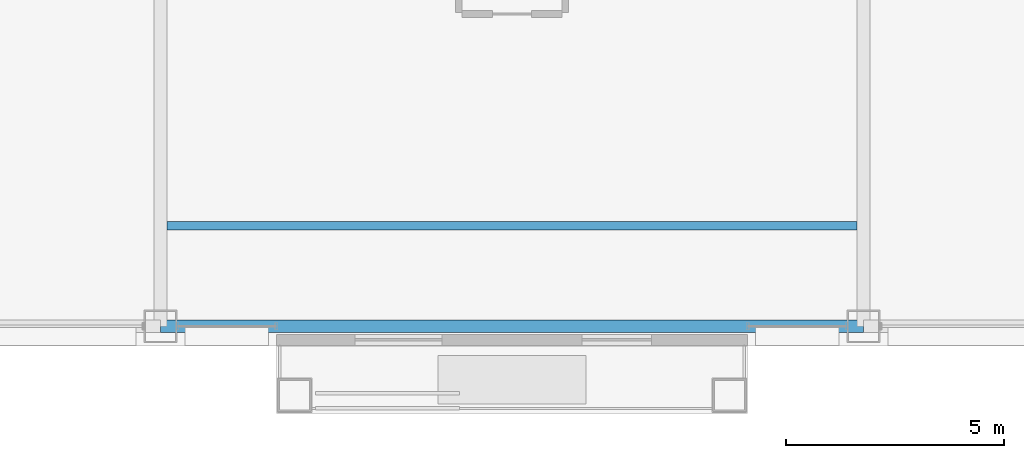
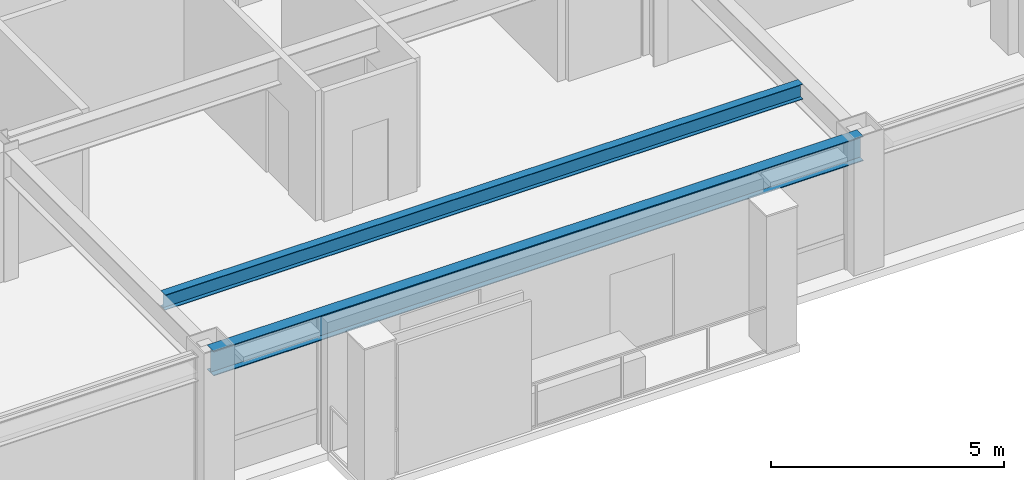
# One storey, part 6 of 28: 2 beams.
"""IFC4 building model written with IfcOpenShell, lengths in metres."""

from ifc_helpers import new_model, si_unit, direction, frame, origin, origin_2d, place, context, subcontext, project, spatial, i_section, extrude, material, material_profile, profile_set, type_object, element, save


model = new_model("IFC4")

# Units and contexts
model_context = context("Model", 3, precision=1e-05, world=origin(), true_north=direction((0.0, 1.0)))
body_context = subcontext(model_context, "Body", "Model", "MODEL_VIEW")
ifc_project = project(units=[si_unit("LENGTHUNIT", "METRE"), si_unit("AREAUNIT", "SQUARE_METRE"), si_unit("VOLUMEUNIT", "CUBIC_METRE"), si_unit("PLANEANGLEUNIT", "RADIAN"), si_unit("MASSUNIT", "GRAM", prefix="KILO")], contexts=[model_context])

# Site, building, storey
site_placement = place(None, origin())
site = spatial("IfcSite", under=ifc_project, at=site_placement, CompositionType="ELEMENT")
building_placement = place(site_placement, origin())
building = spatial("IfcBuilding", under=site, at=building_placement, Name="Brelmoor Portico Tower", CompositionType="ELEMENT")
storey_placement = place(building_placement, frame((0.0, 0.0, 165.89990234375)))
storey = spatial("IfcBuildingStorey", under=building, at=storey_placement, Name="L43", CompositionType="ELEMENT", Elevation=165.89990234375)

# Beams
ifc_material = material(Name="Steel Q355B", Category="steel")
ifc_material_profile_1 = material_profile(ifc_material, i_section(OverallWidth=0.199951171875, OverallDepth=0.39990234375, WebThickness=0.008056640625, FlangeThickness=0.012939453125, at=origin_2d()), Name="HN 400x200x8x13")
ifc_profile_set_1 = profile_set([ifc_material_profile_1], Name="Steel Q355B")
beam_type_1 = type_object("IfcBeamType", Name="BM-JS-400", PredefinedType="JOIST", material=ifc_profile_set_1)
beam_1_placement = place(storey_placement, frame((-7.89990234375, -16.25, 3.2001953125), z_axis=(1.0, 0.0, 0.0), x_axis=(0.0, 1.0, 0.0)))
element("IfcBeam", 1, at=beam_1_placement, inside=storey, type_object=beam_type_1, Name="L43 Secondary Composite Joist JS-C01", PredefinedType="JOIST", context=body_context, shape_type="SweptSolid", body=[
    extrude(i_section(OverallWidth=0.199951171875, OverallDepth=0.39990234375, WebThickness=0.008056640625, FlangeThickness=0.012939453125, at=origin_2d()), origin(), (0.0, 0.0, 1.0), 15.7998046875),
])
ifc_material_profile_2 = material_profile(ifc_material, i_section(OverallWidth=0.280029296875, OverallDepth=0.64990234375, WebThickness=0.012939453125, FlangeThickness=0.02197265625, at=origin_2d()), Name="HN 650x280x13x22")
ifc_profile_set_2 = profile_set([ifc_material_profile_2], Name="Steel Q355B")
beam_type_2 = type_object("IfcBeamType", Name="BM-SP-650", PredefinedType="SPANDREL", material=ifc_profile_set_2)
beam_2_placement = place(storey_placement, frame((-8.050048828125, -18.550048828125, 3.0751953125), z_axis=(1.0, 0.0, 0.0), x_axis=(0.0, 1.0, 0.0)))
element("IfcBeam", 2, at=beam_2_placement, inside=storey, type_object=beam_type_2, Name="L43 Perimeter Spandrel Beam SP-02", PredefinedType="SPANDREL", context=body_context, shape_type="SweptSolid", body=[
    extrude(i_section(OverallWidth=0.280029296875, OverallDepth=0.64990234375, WebThickness=0.012939453125, FlangeThickness=0.02197265625, at=origin_2d()), origin(), (0.0, 0.0, 1.0), 16.10009765625),
])

save(model, "model.ifc")
